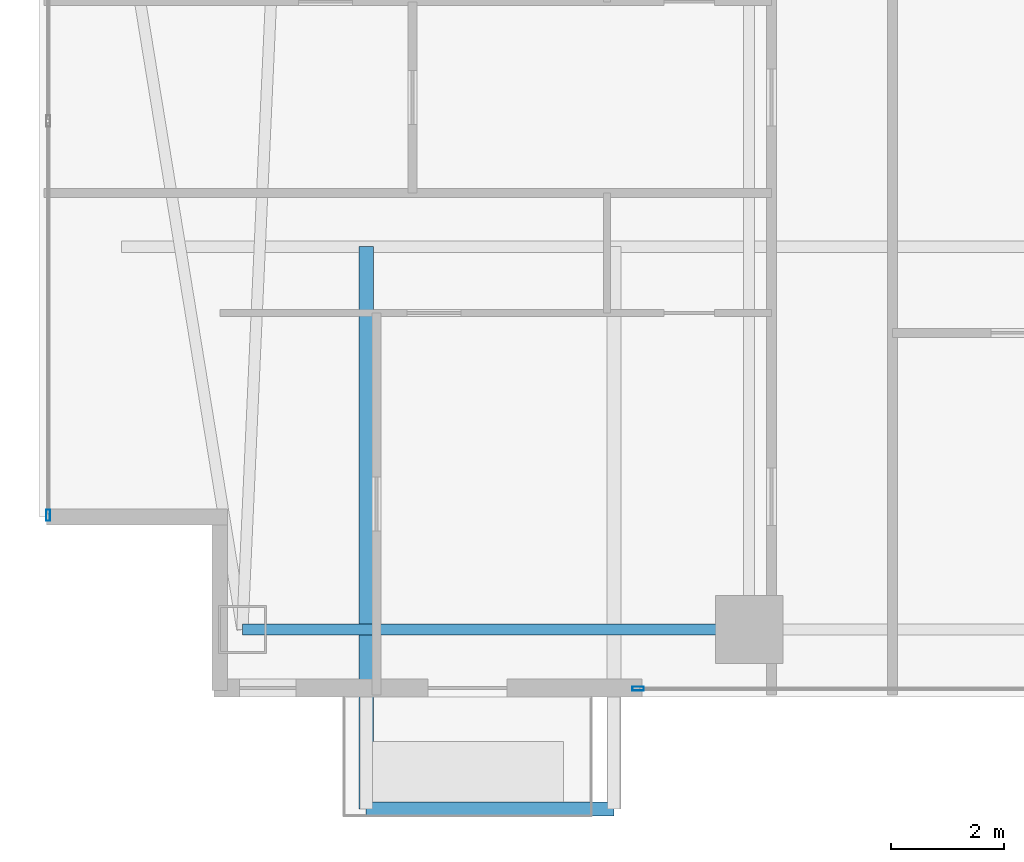
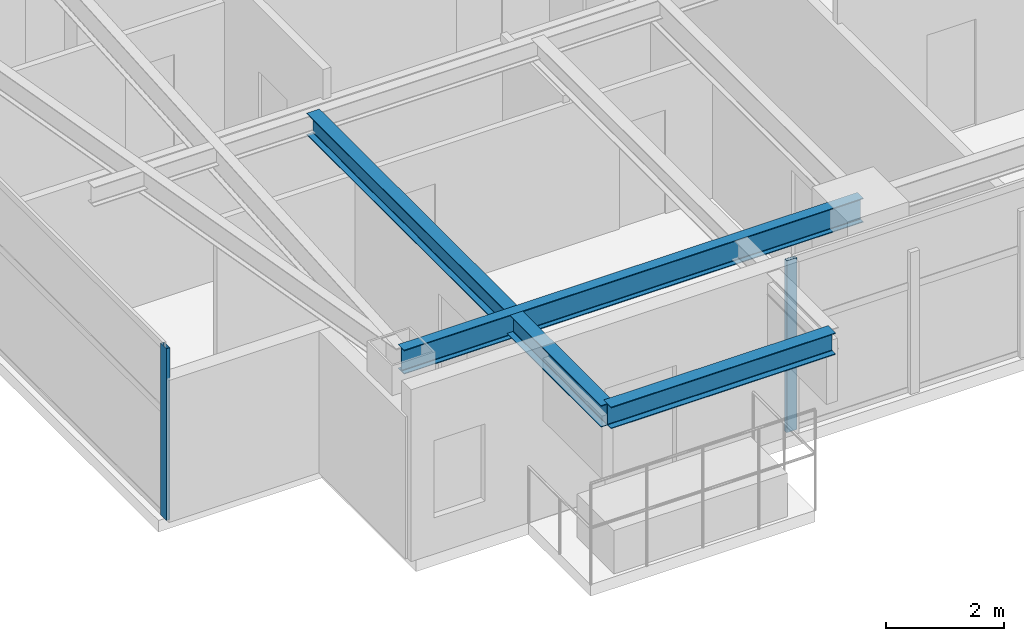
# One storey, part 2 of 29: 3 beams, 2 members, 2 elements without a shape of their own.
"""IFC4 building model written with IfcOpenShell, lengths in metres."""

from ifc_helpers import new_model, si_unit, direction, frame, origin, origin_2d, place, context, subcontext, project, spatial, hollow_rectangle, i_section, extrude, material, layer, layer_set, material_profile, profile_set, type_object, element, aggregate, save


model = new_model("IFC4")

# Units and contexts
model_context = context("Model", 3, precision=1e-05, world=origin(), true_north=direction((0.0, 1.0)))
body_context = subcontext(model_context, "Body", "Model", "MODEL_VIEW")
ifc_project = project(units=[si_unit("LENGTHUNIT", "METRE"), si_unit("AREAUNIT", "SQUARE_METRE"), si_unit("VOLUMEUNIT", "CUBIC_METRE"), si_unit("PLANEANGLEUNIT", "RADIAN"), si_unit("MASSUNIT", "GRAM", prefix="KILO")], contexts=[model_context])

# Site, building, storey
site_placement = place(None, origin())
site = spatial("IfcSite", under=ifc_project, at=site_placement, CompositionType="ELEMENT")
building_placement = place(site_placement, origin())
building = spatial("IfcBuilding", under=site, at=building_placement, Name="Calvorn Quay Hotel", CompositionType="ELEMENT")
storey_placement = place(building_placement, frame((0.0, 0.0, 171.300048828125)))
storey = spatial("IfcBuildingStorey", under=building, at=storey_placement, Name="L42", CompositionType="ELEMENT", Elevation=171.300048828125)

# Beams
ifc_material_1 = material(Name="Steel Q355B", Category="steel")
ifc_material_profile_1 = material_profile(ifc_material_1, i_section(OverallWidth=0.25, OverallDepth=0.449951171875, WebThickness=0.011962890625, FlangeThickness=0.01611328125, FilletRadius=0.01611328125, at=origin_2d()), Name="HN450x250x12x16")
ifc_profile_set_1 = profile_set([ifc_material_profile_1], Name="Steel Q355B")
beam_type_1 = type_object("IfcBeamType", Name="BM-CANT-BALC", PredefinedType="BEAM", material=ifc_profile_set_1)
beam_1_placement = place(storey_placement, frame((5.800048828125, 10.39990234375, 3.31494140625), z_axis=(0.0, -1.0, 0.0), x_axis=(1.0, 0.0, 0.0)))
element("IfcBeam", 1, at=beam_1_placement, inside=storey, type_object=beam_type_1, Name="Cantilever Balcony Beam BCB-L43-2A", PredefinedType="BEAM", context=body_context, shape_type="SweptSolid", body=[
    extrude(i_section(OverallWidth=0.25, OverallDepth=0.449951171875, WebThickness=0.011962890625, FlangeThickness=0.01611328125, FilletRadius=0.01611328125, at=origin_2d()), origin(), (0.0, 0.0, 1.0), 9.989990234375),
])
beam_2_placement = place(storey_placement, frame((5.800048828125, 0.409912109375, 3.31494140625), z_axis=(1.0, 0.0, 0.0), x_axis=(0.0, 1.0, 0.0)))
element("IfcBeam", 2, at=beam_2_placement, inside=storey, type_object=beam_type_1, Name="Beam BCBO-L43-2", PredefinedType="BEAM", context=body_context, shape_type="SweptSolid", body=[
    extrude(i_section(OverallWidth=0.25, OverallDepth=0.449951171875, WebThickness=0.011962890625, FlangeThickness=0.01611328125, FilletRadius=0.01611328125, at=origin_2d()), origin(), (0.0, 0.0, 1.0), 4.39990234375),
])
ifc_material_2 = material(Name="Steel Q355B", Category="steel")
ifc_material_profile_2 = material_profile(ifc_material_2, i_section(OverallWidth=0.199951171875, OverallDepth=0.5, WebThickness=0.010009765625, FlangeThickness=0.01611328125, FilletRadius=0.01611328125, at=origin_2d()), Name="HN500x200x10x16")
ifc_profile_set_2 = profile_set([ifc_material_profile_2], Name="Steel Q355B")
beam_type_2 = type_object("IfcBeamType", Name="BM-SPANDREL-Z1", PredefinedType="SPANDREL", material=ifc_profile_set_2)
beam_3_placement = place(storey_placement, frame((3.60009765625, 3.60009765625, 3.2900390625), z_axis=(1.0, 0.0, 0.0), x_axis=(0.0, 1.0, 0.0)))
element("IfcBeam", 3, at=beam_3_placement, inside=storey, type_object=beam_type_2, Name="Beam BSP-L42-S1", PredefinedType="SPANDREL", context=body_context, shape_type="SweptSolid", body=[
    extrude(i_section(OverallWidth=0.199951171875, OverallDepth=0.5, WebThickness=0.010009765625, FlangeThickness=0.01611328125, FilletRadius=0.01611328125, at=origin_2d()), origin(), (0.0, 0.0, 1.0), 9.0),
])

# Curtain wall, member
ifc_material_3 = material(Name="Pale Anodised Aluminium and Low-E Glass", Category="aluminium")
ifc_layer = layer(ifc_material_3, 0.219970703125)
ifc_layer_set = layer_set([ifc_layer], Name="CW-SYS-Z2")
curtain_wall_type = type_object("IfcCurtainWallType", Name="CW-SYS-Z2", PredefinedType="NOTDEFINED", material=ifc_layer_set)
curtain_wall_1_placement = place(storey_placement, origin())
curtain_wall_1 = element("IfcCurtainWall", 4, at=curtain_wall_1_placement, inside=storey, type_object=curtain_wall_type, Name="Tower West Curtain Wall (L42)", PredefinedType="NOTDEFINED")
ifc_material_4 = material(Name="Pale Anodised Aluminium 6063-T6", Category="aluminium")
ifc_material_profile_3 = material_profile(ifc_material_4, hollow_rectangle(XDim=0.070068359375, YDim=0.199951171875, WallThickness=0.00390625, at=origin_2d()), Name="ALU-M200x70x4")
ifc_profile_set_3 = profile_set([ifc_material_profile_3], Name="Pale Anodised Aluminium 6063-T6")
member_type = type_object("IfcMemberType", Name="CW-SYS-Z2-MUL", PredefinedType="MULLION", material=ifc_profile_set_3)
member_1_placement = place(storey_placement, frame((0.14990234375, 5.6298828125, 0.0), z_axis=(0.0, 0.0, 1.0), x_axis=(-1.0, 0.0, 0.0)))
member_1 = element("IfcMember", 5, at=member_1_placement, type_object=member_type, Name="CW-L42-W mullion 1", PredefinedType="MULLION", context=body_context, shape_type="SweptSolid", body=[
    extrude(hollow_rectangle(XDim=0.070068359375, YDim=0.199951171875, WallThickness=0.00390625, at=origin_2d()), origin(), (0.0, 0.0, 1.0), 3.56005859375),
])
aggregate(curtain_wall_1, [member_1])

curtain_wall_2_placement = place(storey_placement, origin())
curtain_wall_2 = element("IfcCurtainWall", 6, at=curtain_wall_2_placement, inside=storey, type_object=curtain_wall_type, Name="Tower South Waterfront Curtain Wall (L42)", PredefinedType="NOTDEFINED")
member_2_placement = place(storey_placement, frame((10.6298828125, 2.550048828125, 0.0), z_axis=(0.0, 0.0, 1.0), x_axis=(0.0, 1.0, 0.0)))
member_2 = element("IfcMember", 7, at=member_2_placement, type_object=member_type, Name="CW-L42-S mullion 1", PredefinedType="MULLION", context=body_context, shape_type="SweptSolid", body=[
    extrude(hollow_rectangle(XDim=0.070068359375, YDim=0.199951171875, WallThickness=0.00390625, at=origin_2d()), origin(), (0.0, 0.0, 1.0), 3.56005859375),
])
aggregate(curtain_wall_2, [member_2])

save(model, "model.ifc")
